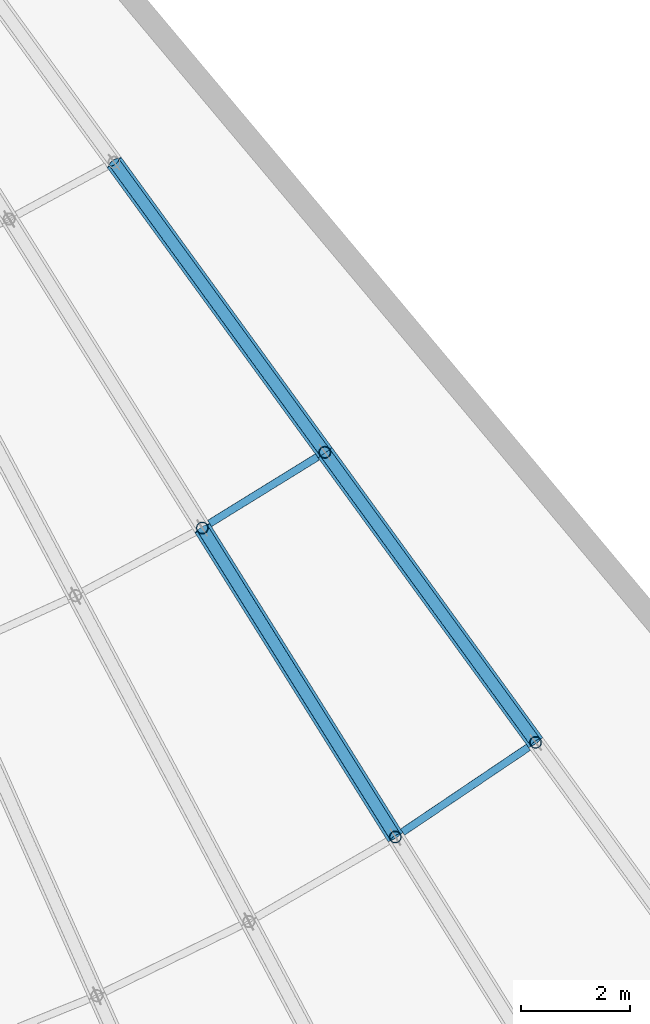
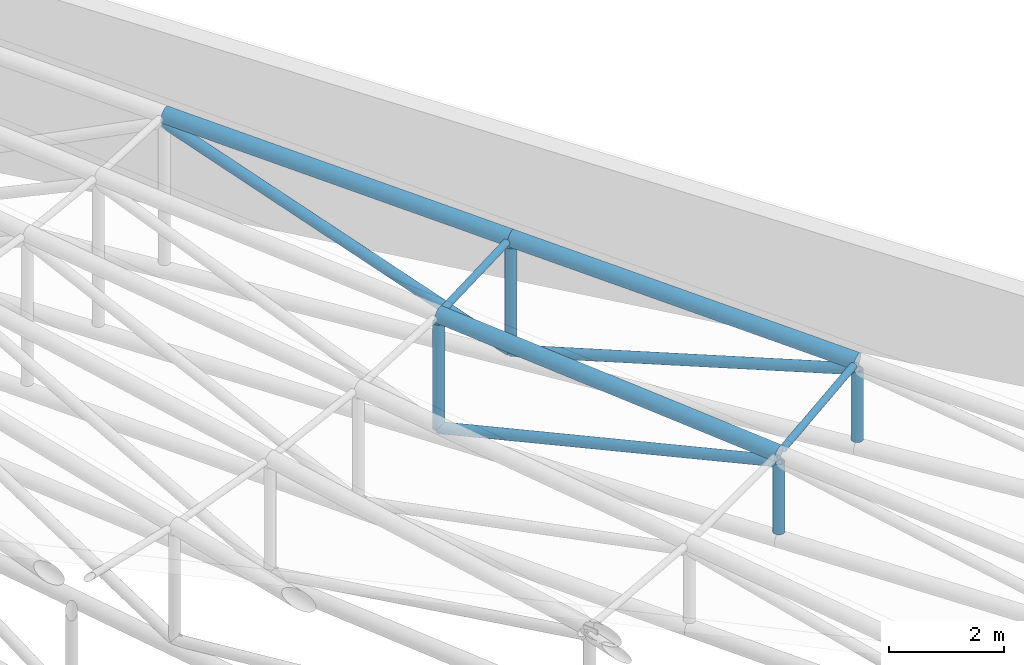
# One storey, part 45 of 163: 12 members.
"""IFC4 building model written with IfcOpenShell, lengths in metres."""

from ifc_helpers import new_model, si_unit, direction, frame, origin, origin_2d, place, context, subcontext, project, spatial, hollow_circle, extrude, material, material_profile, profile_set, type_object, element, save


model = new_model("IFC4")

# Units and contexts
model_context = context("Model", 3, precision=1e-05, world=origin(), true_north=direction((0.0, 1.0)))
body_context = subcontext(model_context, "Body", "Model", "MODEL_VIEW")
ifc_project = project(units=[si_unit("LENGTHUNIT", "METRE"), si_unit("AREAUNIT", "SQUARE_METRE"), si_unit("VOLUMEUNIT", "CUBIC_METRE"), si_unit("PLANEANGLEUNIT", "RADIAN"), si_unit("MASSUNIT", "GRAM", prefix="KILO")], contexts=[model_context])

# Site, building, storey
site_placement = place(None, origin())
site = spatial("IfcSite", under=ifc_project, at=site_placement, CompositionType="ELEMENT")
building_placement = place(site_placement, origin())
building = spatial("IfcBuilding", under=site, at=building_placement, Name="Rain Tree Exposition and Congress Centre", CompositionType="ELEMENT")
storey_placement = place(building_placement, frame((0.0, 0.0, 10.5)))
storey = spatial("IfcBuildingStorey", under=building, at=storey_placement, Name="L02", CompositionType="ELEMENT", Elevation=10.5)

# Members
ifc_material_1 = material(Name="Steel S355J2H", Category="steel")
ifc_material_profile_1 = material_profile(ifc_material_1, hollow_circle(Radius=0.108154296875, WallThickness=0.008056640625, at=origin_2d()), Name="CHS 216x8")
ifc_profile_set_1 = profile_set([ifc_material_profile_1], Name="Steel S355J2H")
member_type_1 = type_object("IfcMemberType", Name="Steel brace member CHS 216x8", PredefinedType="BRACE", material=ifc_profile_set_1)
member_1_placement = place(storey_placement, frame((225.234375, 29.377197265625, 1.810546875), z_axis=(-0.5172842453, 0.827796952354, -0.217184749091), x_axis=(-0.848039210505, -0.529933483982, 0.0)))
element("IfcMember", 1, at=member_1_placement, inside=storey, type_object=member_type_1, Name="TD18-2", PredefinedType="BRACE", context=body_context, shape_type="SweptSolid", body=[
    extrude(hollow_circle(Radius=0.108154296875, WallThickness=0.008056640625, at=origin_2d()), origin(), (0.0, 0.0, 1.0), 6.869384765625),
])
member_2_placement = place(storey_placement, frame((227.815185546875, 31.117919921875, 1.810546875), z_axis=(-0.57332385433, 0.78909167236, -0.220531382502), x_axis=(-0.80900958585, -0.587795449117, 0.0)))
element("IfcMember", 2, at=member_2_placement, inside=storey, type_object=member_type_1, Name="TD19-2", PredefinedType="BRACE", context=body_context, shape_type="SweptSolid", body=[
    extrude(hollow_circle(Radius=0.108154296875, WallThickness=0.008056640625, at=origin_2d()), origin(), (0.0, 0.0, 1.0), 6.76513671875),
])
member_3_placement = place(storey_placement, frame((223.9365234375, 36.456298828125, 0.318603515625), z_axis=(-0.535781309587, 0.737466581608, 0.411195123158), x_axis=(-0.809027179855, -0.587771232927, 0.0)))
element("IfcMember", 3, at=member_3_placement, inside=storey, type_object=member_type_1, Name="TD19-3", PredefinedType="BRACE", context=body_context, shape_type="SweptSolid", body=[
    extrude(hollow_circle(Radius=0.108154296875, WallThickness=0.008056640625, at=origin_2d()), origin(), (0.0, 0.0, 1.0), 7.23876953125),
])
ifc_material_2 = material(Name="Steel S355J2H", Category="steel")
ifc_material_profile_2 = material_profile(ifc_material_2, hollow_circle(Radius=0.1591796875, WallThickness=0.010009765625, at=origin_2d()), Name="CHS 318x10")
ifc_profile_set_2 = profile_set([ifc_material_profile_2], Name="Steel S355J2H")
member_type_2 = type_object("IfcMemberType", Name="Steel chord member CHS 318x10", PredefinedType="CHORD", material=ifc_profile_set_2)
member_4_placement = place(storey_placement, frame((225.234375, 29.377197265625, 1.971435546875), z_axis=(-0.526611269539, 0.842722754387, 0.111798613732), x_axis=(-0.848039210505, -0.529933483982, 0.0)))
element("IfcMember", 4, at=member_4_placement, inside=storey, type_object=member_type_2, Name="TT18-2", PredefinedType="CHORD", context=body_context, shape_type="SweptSolid", body=[
    extrude(hollow_circle(Radius=0.1591796875, WallThickness=0.010009765625, at=origin_2d()), origin(), (0.0, 0.0, 1.0), 6.747802734375),
])
member_5_placement = place(storey_placement, frame((227.815185546875, 31.117919921875, 1.971435546875), z_axis=(-0.584109934618, 0.803937044776, 0.111807031609), x_axis=(-0.80900958585, -0.587795449117, 0.0)))
element("IfcMember", 5, at=member_5_placement, inside=storey, type_object=member_type_2, Name="TT19-2", PredefinedType="CHORD", context=body_context, shape_type="SweptSolid", body=[
    extrude(hollow_circle(Radius=0.1591796875, WallThickness=0.010009765625, at=origin_2d()), origin(), (0.0, 0.0, 1.0), 6.640380859375),
])
member_6_placement = place(storey_placement, frame((223.9365234375, 36.456298828125, 2.7138671875), z_axis=(-0.584085711472, 0.803954309898, 0.111809432745), x_axis=(-0.809027179855, -0.587771232927, 0.0)))
element("IfcMember", 6, at=member_6_placement, inside=storey, type_object=member_type_2, Name="TT19-3", PredefinedType="CHORD", context=body_context, shape_type="SweptSolid", body=[
    extrude(hollow_circle(Radius=0.1591796875, WallThickness=0.010009765625, at=origin_2d()), origin(), (0.0, 0.0, 1.0), 6.64013671875),
])
ifc_material_3 = material(Name="Steel S355J2H", Category="steel")
ifc_material_profile_3 = material_profile(ifc_material_3, hollow_circle(Radius=0.108154296875, WallThickness=0.008056640625, at=origin_2d()), Name="CHS 216x8")
ifc_profile_set_3 = profile_set([ifc_material_profile_3], Name="Steel S355J2H")
member_type_3 = type_object("IfcMemberType", Name="Steel post member CHS 216x8", PredefinedType="POST", material=ifc_profile_set_3)
member_7_placement = place(storey_placement, frame((225.234375, 29.377197265625, 0.318603515625), z_axis=(0.0, 0.0, 1.0), x_axis=(1.0, 0.0, 0.0)))
element("IfcMember", 7, at=member_7_placement, inside=storey, type_object=member_type_3, Name="TP18-1", PredefinedType="POST", context=body_context, shape_type="SweptSolid", body=[
    extrude(hollow_circle(Radius=0.108154296875, WallThickness=0.008056640625, at=origin_2d()), origin(), (0.0, 0.0, 1.0), 1.491943359375),
])
member_8_placement = place(storey_placement, frame((221.680908203125, 35.063720703125, 0.318603515625), z_axis=(0.0, 0.0, 1.0), x_axis=(1.0, 0.0, 0.0)))
element("IfcMember", 8, at=member_8_placement, inside=storey, type_object=member_type_3, Name="TP18-2", PredefinedType="POST", context=body_context, shape_type="SweptSolid", body=[
    extrude(hollow_circle(Radius=0.108154296875, WallThickness=0.008056640625, at=origin_2d()), origin(), (0.0, 0.0, 1.0), 2.246337890625),
])
member_9_placement = place(storey_placement, frame((227.815185546875, 31.117919921875, 0.318603515625), z_axis=(0.0, 0.0, 1.0), x_axis=(1.0, 0.0, 0.0)))
element("IfcMember", 9, at=member_9_placement, inside=storey, type_object=member_type_3, Name="TP19-1", PredefinedType="POST", context=body_context, shape_type="SweptSolid", body=[
    extrude(hollow_circle(Radius=0.108154296875, WallThickness=0.008056640625, at=origin_2d()), origin(), (0.0, 0.0, 1.0), 1.491943359375),
])
member_10_placement = place(storey_placement, frame((223.9365234375, 36.456298828125, 0.318603515625), z_axis=(0.0, 0.0, 1.0), x_axis=(1.0, 0.0, 0.0)))
element("IfcMember", 10, at=member_10_placement, inside=storey, type_object=member_type_3, Name="TP19-2", PredefinedType="POST", context=body_context, shape_type="SweptSolid", body=[
    extrude(hollow_circle(Radius=0.108154296875, WallThickness=0.008056640625, at=origin_2d()), origin(), (0.0, 0.0, 1.0), 2.234130859375),
])
ifc_material_4 = material(Name="Steel S355J2H", Category="steel")
ifc_material_profile_4 = material_profile(ifc_material_4, hollow_circle(Radius=0.06982421875, WallThickness=0.0048828125, at=origin_2d()), Name="CHS 140x5")
ifc_profile_set_4 = profile_set([ifc_material_profile_4], Name="Steel S355J2H")
member_type_4 = type_object("IfcMemberType", Name="Steel purlin member CHS 140x5", PredefinedType="PURLIN", material=ifc_profile_set_4)
member_11_placement = place(storey_placement, frame((225.366455078125, 29.46630859375, 1.971435546875), z_axis=(0.82905423216, 0.559168203797, 0.0), x_axis=(-0.559168203797, 0.82905423216, 0.0)))
element("IfcMember", 11, at=member_11_placement, inside=storey, type_object=member_type_4, Name="PU18-1", PredefinedType="PURLIN", context=body_context, shape_type="SweptSolid", body=[
    extrude(hollow_circle(Radius=0.06982421875, WallThickness=0.0048828125, at=origin_2d()), origin(), (0.0, 0.0, 1.0), 2.79443359375),
])
member_12_placement = place(storey_placement, frame((221.81640625, 35.147216796875, 2.72509765625), z_axis=(0.850876081006, 0.525347158392, -0.00450088221), x_axis=(-0.525352479699, 0.850884699636, 0.0)))
element("IfcMember", 12, at=member_12_placement, inside=storey, type_object=member_type_4, Name="PU18-2", PredefinedType="PURLIN", context=body_context, shape_type="SweptSolid", body=[
    extrude(hollow_circle(Radius=0.06982421875, WallThickness=0.0048828125, at=origin_2d()), origin(), (0.0, 0.0, 1.0), 2.33251953125),
])

save(model, "model.ifc")
